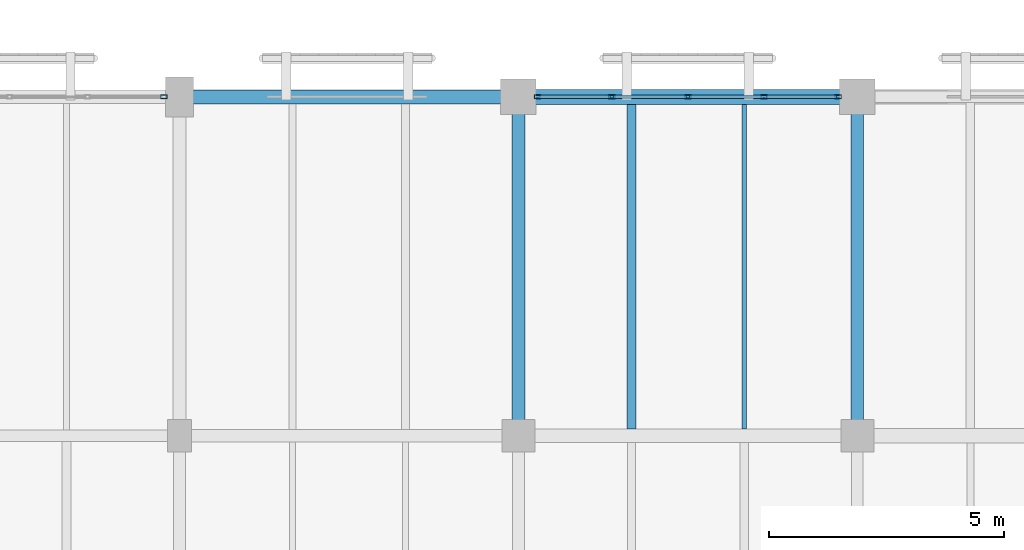
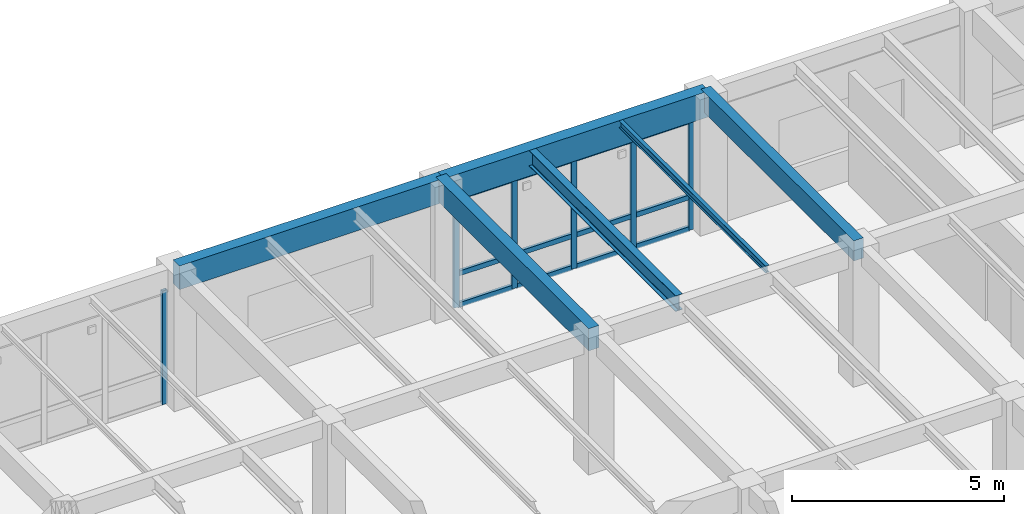
# One storey, part 113 of 170: 18 members, 6 beams, 2 elements without a shape of their own.
"""IFC4 building model written with IfcOpenShell, lengths in metres."""

from ifc_helpers import new_model, si_unit, direction, frame, origin, origin_2d, place, context, subcontext, project, spatial, rectangle, hollow_rectangle, i_section, extrude, material, layer, layer_set, material_profile, profile_set, type_object, element, aggregate, save


model = new_model("IFC4")

# Units and contexts
model_context = context("Model", 3, precision=1e-05, world=origin(), true_north=direction((0.0, 1.0)))
body_context = subcontext(model_context, "Body", "Model", "MODEL_VIEW")
ifc_project = project(units=[si_unit("LENGTHUNIT", "METRE"), si_unit("AREAUNIT", "SQUARE_METRE"), si_unit("VOLUMEUNIT", "CUBIC_METRE"), si_unit("PLANEANGLEUNIT", "RADIAN"), si_unit("MASSUNIT", "GRAM", prefix="KILO")], contexts=[model_context])

# Site, building, storey
site_placement = place(None, origin())
site = spatial("IfcSite", under=ifc_project, at=site_placement, CompositionType="ELEMENT")
building_placement = place(site_placement, origin())
building = spatial("IfcBuilding", under=site, at=building_placement, Name="Mazaris Harbour Polytechnic", CompositionType="ELEMENT")
storey_placement = place(building_placement, frame((0.0, 0.0, 5.39990234375)))
storey = spatial("IfcBuildingStorey", under=building, at=storey_placement, Name="L01", CompositionType="ELEMENT", Elevation=5.39990234375)

# Curtain wall, member
ifc_material_1 = material(Name="Anodised Bronze Aluminium and Low-E Glass", Category="aluminium")
ifc_layer = layer(ifc_material_1, 0.169921875, Name="Anodised Bronze Aluminium and Low-E Glass")
ifc_layer_set = layer_set([ifc_layer], Name="Anodised Bronze Aluminium and Low-E Glass")
curtain_wall_type = type_object("IfcCurtainWallType", Name="Studio North-Light Curtain Wall", PredefinedType="NOTDEFINED", material=ifc_layer_set)
curtain_wall_1_placement = place(storey_placement, origin())
curtain_wall_1 = element("IfcCurtainWall", 1, at=curtain_wall_1_placement, inside=storey, type_object=curtain_wall_type, Name="V5 L01 Curtain Wall 206", PredefinedType="NOTDEFINED")
ifc_material_2 = material(Name="Anodised Bronze Steel S355", Category="steel")
ifc_material_profile_1 = material_profile(ifc_material_2, hollow_rectangle(XDim=0.080078125, YDim=0.139892578125, WallThickness=0.00634765625, at=origin_2d()), Name="RHS 80x140x6.3")
ifc_profile_set_1 = profile_set([ifc_material_profile_1], Name="Anodised Bronze Steel S355")
member_type_1 = type_object("IfcMemberType", Name="Curtain Mullion RHS80x140", PredefinedType="MULLION", material=ifc_profile_set_1)
member_1_placement = place(storey_placement, frame((143.66796875, 108.0, 0.0), z_axis=(0.0, 0.0, 1.0), x_axis=(0.0, 1.0, 0.0)))
member_1 = element("IfcMember", 2, at=member_1_placement, type_object=member_type_1, Name="CW-03 mullion 5", PredefinedType="MULLION", context=body_context, shape_type="SweptSolid", body=[
    extrude(hollow_rectangle(XDim=0.080078125, YDim=0.139892578125, WallThickness=0.00634765625, at=origin_2d()), origin(), (0.0, 0.0, 1.0), 3.27001953125),
])
aggregate(curtain_wall_1, [member_1])

# Curtain wall, members
curtain_wall_2_placement = place(storey_placement, origin())
curtain_wall_2 = element("IfcCurtainWall", 3, at=curtain_wall_2_placement, inside=storey, type_object=curtain_wall_type, Name="V5 L01 Curtain Wall 207", PredefinedType="NOTDEFINED")
member_2_placement = place(storey_placement, frame((151.60693359375, 108.0, 0.0), z_axis=(0.0, 0.0, 1.0), x_axis=(0.0, 1.0, 0.0)))
member_2 = element("IfcMember", 4, at=member_2_placement, type_object=member_type_1, Name="CW-03 mullion 1", PredefinedType="MULLION", context=body_context, shape_type="SweptSolid", body=[
    extrude(hollow_rectangle(XDim=0.080078125, YDim=0.139892578125, WallThickness=0.00634765625, at=origin_2d()), origin(), (0.0, 0.0, 1.0), 3.170166015625),
])
member_3_placement = place(storey_placement, frame((153.18359375, 108.0, 0.0), z_axis=(0.0, 0.0, 1.0), x_axis=(0.0, 1.0, 0.0)))
member_3 = element("IfcMember", 5, at=member_3_placement, type_object=member_type_1, Name="CW-03 mullion 2", PredefinedType="MULLION", context=body_context, shape_type="SweptSolid", body=[
    extrude(hollow_rectangle(XDim=0.080078125, YDim=0.139892578125, WallThickness=0.00634765625, at=origin_2d()), origin(), (0.0, 0.0, 1.0), 3.170166015625),
])
member_4_placement = place(storey_placement, frame((154.800048828125, 108.0, 0.0), z_axis=(0.0, 0.0, 1.0), x_axis=(0.0, 1.0, 0.0)))
member_4 = element("IfcMember", 6, at=member_4_placement, type_object=member_type_1, Name="CW-03 mullion 3", PredefinedType="MULLION", context=body_context, shape_type="SweptSolid", body=[
    extrude(hollow_rectangle(XDim=0.080078125, YDim=0.139892578125, WallThickness=0.00634765625, at=origin_2d()), origin(), (0.0, 0.0, 1.0), 3.170166015625),
])
member_5_placement = place(storey_placement, frame((156.41650390625, 108.0, 0.0), z_axis=(0.0, 0.0, 1.0), x_axis=(0.0, 1.0, 0.0)))
member_5 = element("IfcMember", 7, at=member_5_placement, type_object=member_type_1, Name="CW-03 mullion 4", PredefinedType="MULLION", context=body_context, shape_type="SweptSolid", body=[
    extrude(hollow_rectangle(XDim=0.080078125, YDim=0.139892578125, WallThickness=0.00634765625, at=origin_2d()), origin(), (0.0, 0.0, 1.0), 3.170166015625),
])
member_6_placement = place(storey_placement, frame((157.992919921875, 108.0, 0.0), z_axis=(0.0, 0.0, 1.0), x_axis=(0.0, 1.0, 0.0)))
member_6 = element("IfcMember", 8, at=member_6_placement, type_object=member_type_1, Name="CW-03 mullion 5", PredefinedType="MULLION", context=body_context, shape_type="SweptSolid", body=[
    extrude(hollow_rectangle(XDim=0.080078125, YDim=0.139892578125, WallThickness=0.00634765625, at=origin_2d()), origin(), (0.0, 0.0, 1.0), 3.170166015625),
])
ifc_material_3 = material(Name="Anodised Bronze Steel S355", Category="steel")
ifc_material_profile_2 = material_profile(ifc_material_3, hollow_rectangle(XDim=0.080078125, YDim=0.139892578125, WallThickness=0.00634765625, at=origin_2d()), Name="RHS 80x140x6.3")
ifc_profile_set_2 = profile_set([ifc_material_profile_2], Name="Anodised Bronze Steel S355")
member_type_2 = type_object("IfcMemberType", Name="Curtain Transom RHS80x140", PredefinedType="USERDEFINED", material=ifc_profile_set_2)
member_7_placement = place(storey_placement, frame((151.64697265625, 108.0, 0.0400390625), z_axis=(1.0, 0.0, 0.0), x_axis=(0.0, 1.0, 0.0)))
member_7 = element("IfcMember", 9, at=member_7_placement, type_object=member_type_2, Name="CW-03 transom 1.1", ObjectType="TRANSOM", PredefinedType="USERDEFINED", context=body_context, shape_type="SweptSolid", body=[
    extrude(hollow_rectangle(XDim=0.080078125, YDim=0.139892578125, WallThickness=0.00634765625, at=origin_2d()), origin(), (0.0, 0.0, 1.0), 1.49658203125),
])
member_8_placement = place(storey_placement, frame((151.64697265625, 108.0, 0.9501953125), z_axis=(1.0, 0.0, 0.0), x_axis=(0.0, 1.0, 0.0)))
member_8 = element("IfcMember", 10, at=member_8_placement, type_object=member_type_2, Name="CW-03 transom 1.2", ObjectType="TRANSOM", PredefinedType="USERDEFINED", context=body_context, shape_type="SweptSolid", body=[
    extrude(hollow_rectangle(XDim=0.080078125, YDim=0.139892578125, WallThickness=0.00634765625, at=origin_2d()), origin(), (0.0, 0.0, 1.0), 1.49658203125),
])
member_9_placement = place(storey_placement, frame((151.64697265625, 108.0, 3.130126953125), z_axis=(1.0, 0.0, 0.0), x_axis=(0.0, 1.0, 0.0)))
member_9 = element("IfcMember", 11, at=member_9_placement, type_object=member_type_2, Name="CW-03 transom 1.3", ObjectType="TRANSOM", PredefinedType="USERDEFINED", context=body_context, shape_type="SweptSolid", body=[
    extrude(hollow_rectangle(XDim=0.080078125, YDim=0.139892578125, WallThickness=0.00634765625, at=origin_2d()), origin(), (0.0, 0.0, 1.0), 1.49658203125),
])
member_10_placement = place(storey_placement, frame((153.223388671875, 108.0, 0.0400390625), z_axis=(1.0, 0.0, 0.0), x_axis=(0.0, 1.0, 0.0)))
member_10 = element("IfcMember", 12, at=member_10_placement, type_object=member_type_2, Name="CW-03 transom 2.1", ObjectType="TRANSOM", PredefinedType="USERDEFINED", context=body_context, shape_type="SweptSolid", body=[
    extrude(hollow_rectangle(XDim=0.080078125, YDim=0.139892578125, WallThickness=0.00634765625, at=origin_2d()), origin(), (0.0, 0.0, 1.0), 1.53662109375),
])
member_11_placement = place(storey_placement, frame((153.223388671875, 108.0, 0.9501953125), z_axis=(1.0, 0.0, 0.0), x_axis=(0.0, 1.0, 0.0)))
member_11 = element("IfcMember", 13, at=member_11_placement, type_object=member_type_2, Name="CW-03 transom 2.2", ObjectType="TRANSOM", PredefinedType="USERDEFINED", context=body_context, shape_type="SweptSolid", body=[
    extrude(hollow_rectangle(XDim=0.080078125, YDim=0.139892578125, WallThickness=0.00634765625, at=origin_2d()), origin(), (0.0, 0.0, 1.0), 1.53662109375),
])
member_12_placement = place(storey_placement, frame((153.223388671875, 108.0, 3.130126953125), z_axis=(1.0, 0.0, 0.0), x_axis=(0.0, 1.0, 0.0)))
member_12 = element("IfcMember", 14, at=member_12_placement, type_object=member_type_2, Name="CW-03 transom 2.3", ObjectType="TRANSOM", PredefinedType="USERDEFINED", context=body_context, shape_type="SweptSolid", body=[
    extrude(hollow_rectangle(XDim=0.080078125, YDim=0.139892578125, WallThickness=0.00634765625, at=origin_2d()), origin(), (0.0, 0.0, 1.0), 1.53662109375),
])
member_13_placement = place(storey_placement, frame((154.840087890625, 108.0, 0.0400390625), z_axis=(1.0, 0.0, 0.0), x_axis=(0.0, 1.0, 0.0)))
member_13 = element("IfcMember", 15, at=member_13_placement, type_object=member_type_2, Name="CW-03 transom 3.1", ObjectType="TRANSOM", PredefinedType="USERDEFINED", context=body_context, shape_type="SweptSolid", body=[
    extrude(hollow_rectangle(XDim=0.080078125, YDim=0.139892578125, WallThickness=0.00634765625, at=origin_2d()), origin(), (0.0, 0.0, 1.0), 1.536376953125),
])
member_14_placement = place(storey_placement, frame((154.840087890625, 108.0, 0.9501953125), z_axis=(1.0, 0.0, 0.0), x_axis=(0.0, 1.0, 0.0)))
member_14 = element("IfcMember", 16, at=member_14_placement, type_object=member_type_2, Name="CW-03 transom 3.2", ObjectType="TRANSOM", PredefinedType="USERDEFINED", context=body_context, shape_type="SweptSolid", body=[
    extrude(hollow_rectangle(XDim=0.080078125, YDim=0.139892578125, WallThickness=0.00634765625, at=origin_2d()), origin(), (0.0, 0.0, 1.0), 1.536376953125),
])
member_15_placement = place(storey_placement, frame((154.840087890625, 108.0, 3.130126953125), z_axis=(1.0, 0.0, 0.0), x_axis=(0.0, 1.0, 0.0)))
member_15 = element("IfcMember", 17, at=member_15_placement, type_object=member_type_2, Name="CW-03 transom 3.3", ObjectType="TRANSOM", PredefinedType="USERDEFINED", context=body_context, shape_type="SweptSolid", body=[
    extrude(hollow_rectangle(XDim=0.080078125, YDim=0.139892578125, WallThickness=0.00634765625, at=origin_2d()), origin(), (0.0, 0.0, 1.0), 1.536376953125),
])
member_16_placement = place(storey_placement, frame((156.45654296875, 108.0, 0.0400390625), z_axis=(1.0, 0.0, 0.0), x_axis=(0.0, 1.0, 0.0)))
member_16 = element("IfcMember", 18, at=member_16_placement, type_object=member_type_2, Name="CW-03 transom 4.1", ObjectType="TRANSOM", PredefinedType="USERDEFINED", context=body_context, shape_type="SweptSolid", body=[
    extrude(hollow_rectangle(XDim=0.080078125, YDim=0.139892578125, WallThickness=0.00634765625, at=origin_2d()), origin(), (0.0, 0.0, 1.0), 1.496337890625),
])
member_17_placement = place(storey_placement, frame((156.45654296875, 108.0, 0.9501953125), z_axis=(1.0, 0.0, 0.0), x_axis=(0.0, 1.0, 0.0)))
member_17 = element("IfcMember", 19, at=member_17_placement, type_object=member_type_2, Name="CW-03 transom 4.2", ObjectType="TRANSOM", PredefinedType="USERDEFINED", context=body_context, shape_type="SweptSolid", body=[
    extrude(hollow_rectangle(XDim=0.080078125, YDim=0.139892578125, WallThickness=0.00634765625, at=origin_2d()), origin(), (0.0, 0.0, 1.0), 1.496337890625),
])
member_18_placement = place(storey_placement, frame((156.45654296875, 108.0, 3.130126953125), z_axis=(1.0, 0.0, 0.0), x_axis=(0.0, 1.0, 0.0)))
member_18 = element("IfcMember", 20, at=member_18_placement, type_object=member_type_2, Name="CW-03 transom 4.3", ObjectType="TRANSOM", PredefinedType="USERDEFINED", context=body_context, shape_type="SweptSolid", body=[
    extrude(hollow_rectangle(XDim=0.080078125, YDim=0.139892578125, WallThickness=0.00634765625, at=origin_2d()), origin(), (0.0, 0.0, 1.0), 1.496337890625),
])
aggregate(curtain_wall_2, [member_2, member_3, member_4, member_5, member_6, member_7, member_8, member_9, member_10, member_11, member_12, member_13, member_14, member_15, member_16, member_17, member_18])

# Beams
ifc_material_4 = material(Name="Glulam GL32h", Category="wood")
ifc_material_profile_3 = material_profile(ifc_material_4, rectangle(XDim=0.260009765625, YDim=0.580078125, at=origin_2d()), Name="RECT260x580")
ifc_profile_set_3 = profile_set([ifc_material_profile_3], Name="Glulam GL32h")
beam_type_1 = type_object("IfcBeamType", Name="Glulam Girder 260x580", PredefinedType="BEAM", material=ifc_profile_set_3)
beam_1_placement = place(storey_placement, frame((158.39990234375, 100.800048828125, 3.630126953125), z_axis=(0.0, 1.0, 0.0), x_axis=(-1.0, 0.0, 0.0)))
element("IfcBeam", 21, at=beam_1_placement, inside=storey, type_object=beam_type_1, Name="V5 L01 Tie Girder 3011", PredefinedType="BEAM", context=body_context, shape_type="SweptSolid", body=[
    extrude(rectangle(XDim=0.260009765625, YDim=0.580078125, at=origin_2d()), origin(), (0.0, 0.0, 1.0), 7.199951171875),
])
ifc_material_5 = material(Name="Glulam GL32h", Category="wood")
ifc_material_profile_4 = material_profile(ifc_material_5, rectangle(XDim=0.280029296875, YDim=0.639892578125, at=origin_2d()), Name="RECT280x640")
ifc_profile_set_4 = profile_set([ifc_material_profile_4], Name="Glulam GL32h")
beam_type_2 = type_object("IfcBeamType", Name="Glulam Girder 280x640", PredefinedType="BEAM", material=ifc_profile_set_4)
beam_2_placement = place(storey_placement, frame((151.199951171875, 100.800048828125, 3.60009765625), z_axis=(0.0, 1.0, 0.0), x_axis=(-1.0, 0.0, 0.0)))
element("IfcBeam", 22, at=beam_2_placement, inside=storey, type_object=beam_type_2, Name="V5 L01 Tie Girder 3002", PredefinedType="BEAM", context=body_context, shape_type="SweptSolid", body=[
    extrude(rectangle(XDim=0.280029296875, YDim=0.639892578125, at=origin_2d()), origin(), (0.0, 0.0, 1.0), 7.199951171875),
])
ifc_material_6 = material(Name="Glulam GL32h", Category="wood")
ifc_material_profile_5 = material_profile(ifc_material_6, rectangle(XDim=0.300048828125, YDim=0.679931640625, at=origin_2d()), Name="RECT300x680")
ifc_profile_set_5 = profile_set([ifc_material_profile_5], Name="Glulam GL32h")
beam_type_3 = type_object("IfcBeamType", Name="Glulam Girder 300x680 Exterior", PredefinedType="BEAM", material=ifc_profile_set_5)
beam_3_placement = place(storey_placement, frame((144.0, 108.0, 3.580078125), z_axis=(1.0, 0.0, 0.0), x_axis=(0.0, 1.0, 0.0)))
element("IfcBeam", 23, at=beam_3_placement, inside=storey, type_object=beam_type_3, Name="V5 L01 Girder 2963", PredefinedType="BEAM", context=body_context, shape_type="SweptSolid", body=[
    extrude(rectangle(XDim=0.300048828125, YDim=0.679931640625, at=origin_2d()), origin(), (0.0, 0.0, 1.0), 7.199951171875),
])
ifc_material_7 = material(Name="Glulam GL32h", Category="wood")
ifc_material_profile_6 = material_profile(ifc_material_7, rectangle(XDim=0.320068359375, YDim=0.739990234375, at=origin_2d()), Name="RECT320x740")
ifc_profile_set_6 = profile_set([ifc_material_profile_6], Name="Glulam GL32h")
beam_type_4 = type_object("IfcBeamType", Name="Glulam Girder 320x740 Exterior", PredefinedType="BEAM", material=ifc_profile_set_6)
beam_4_placement = place(storey_placement, frame((151.199951171875, 108.0, 3.550048828125), z_axis=(1.0, 0.0, 0.0), x_axis=(0.0, 1.0, 0.0)))
element("IfcBeam", 24, at=beam_4_placement, inside=storey, type_object=beam_type_4, Name="V5 L01 Girder 2964", PredefinedType="BEAM", context=body_context, shape_type="SweptSolid", body=[
    extrude(rectangle(XDim=0.320068359375, YDim=0.739990234375, at=origin_2d()), origin(), (0.0, 0.0, 1.0), 7.199951171875),
])
ifc_material_8 = material(Name="Steel S355", Category="steel")
ifc_material_profile_7 = material_profile(ifc_material_8, i_section(OverallWidth=0.10009765625, OverallDepth=0.199951171875, WebThickness=0.005615234375, FlangeThickness=0.008544921875, FilletRadius=0.011962890625, at=origin_2d()), Name="IPE 200")
ifc_profile_set_7 = profile_set([ifc_material_profile_7], Name="Steel S355")
beam_type_5 = type_object("IfcBeamType", Name="Steel Joist IPE200", PredefinedType="JOIST", material=ifc_profile_set_7)
beam_5_placement = place(storey_placement, frame((156.0, 100.93994140625, 3.820068359375), z_axis=(0.0, 1.0, 0.0), x_axis=(-1.0, 0.0, 0.0)))
element("IfcBeam", 25, at=beam_5_placement, inside=storey, type_object=beam_type_5, Name="V5 L01 Floor Joist 3087", PredefinedType="JOIST", context=body_context, shape_type="SweptSolid", body=[
    extrude(i_section(OverallWidth=0.10009765625, OverallDepth=0.199951171875, WebThickness=0.005615234375, FlangeThickness=0.008544921875, FilletRadius=0.011962890625, at=origin_2d()), origin(), (0.0, 0.0, 1.0), 6.900146484375),
])
ifc_material_9 = material(Name="Steel S355", Category="steel")
ifc_material_profile_8 = material_profile(ifc_material_9, i_section(OverallWidth=0.18994140625, OverallDepth=0.449951171875, WebThickness=0.009521484375, FlangeThickness=0.0146484375, FilletRadius=0.02099609375, at=origin_2d()), Name="IPE 450")
ifc_profile_set_8 = profile_set([ifc_material_profile_8], Name="Steel S355")
beam_type_6 = type_object("IfcBeamType", Name="Steel Joist IPE450", PredefinedType="JOIST", material=ifc_profile_set_8)
beam_6_placement = place(storey_placement, frame((153.60009765625, 100.93994140625, 3.695068359375), z_axis=(0.0, 1.0, 0.0), x_axis=(-1.0, 0.0, 0.0)))
element("IfcBeam", 26, at=beam_6_placement, inside=storey, type_object=beam_type_6, Name="V5 L01 Floor Joist 3086", PredefinedType="JOIST", context=body_context, shape_type="SweptSolid", body=[
    extrude(i_section(OverallWidth=0.18994140625, OverallDepth=0.449951171875, WebThickness=0.009521484375, FlangeThickness=0.0146484375, FilletRadius=0.02099609375, at=origin_2d()), origin(), (0.0, 0.0, 1.0), 6.900146484375),
])

save(model, "model.ifc")
